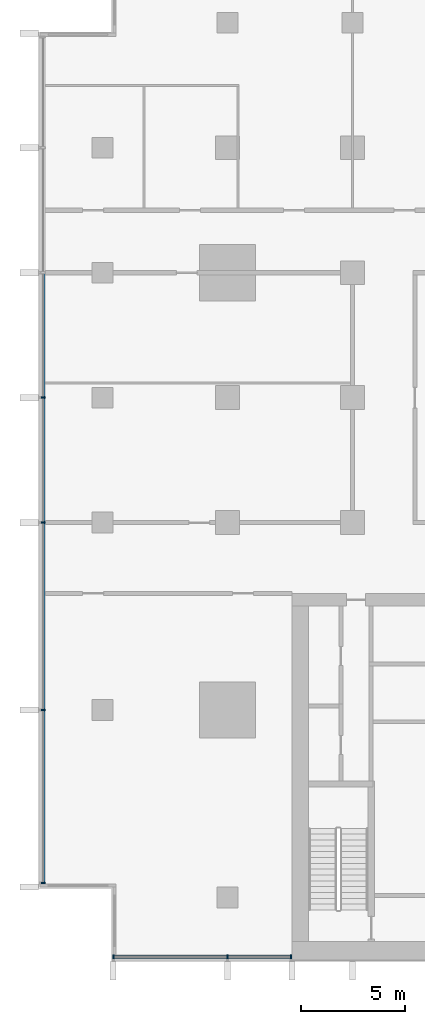
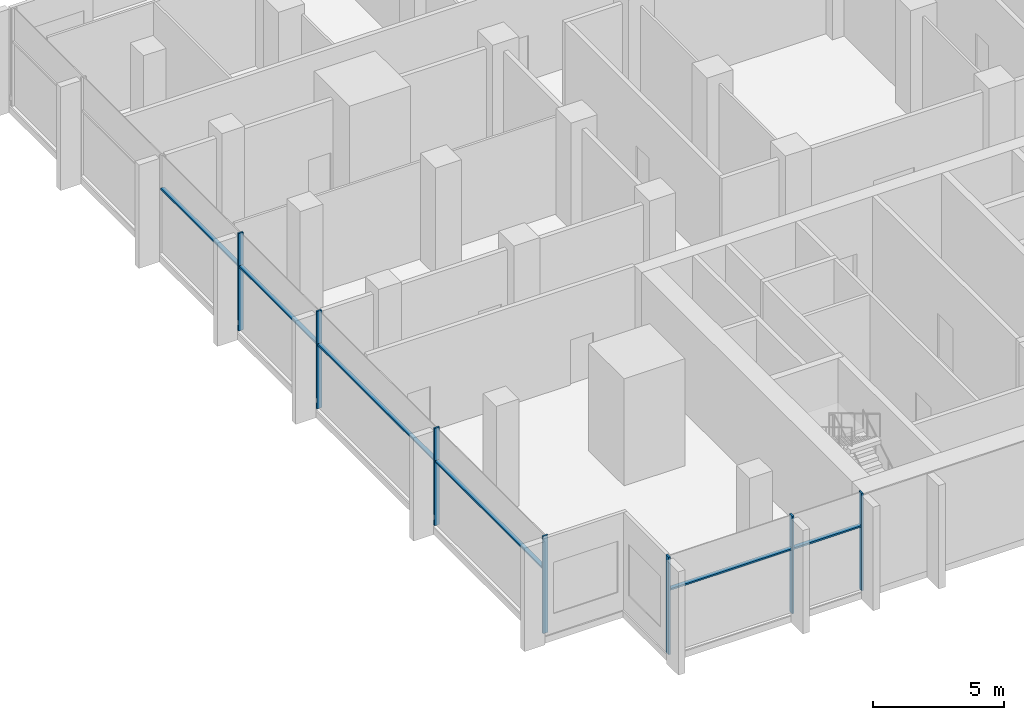
# One storey, part 2 of 15: 13 members, 2 elements without a shape of their own.
"""IFC4 building model written with IfcOpenShell, lengths in metres."""

from ifc_helpers import new_model, si_unit, direction, frame, origin, origin_2d, place, context, subcontext, project, spatial, rectangle, extrude, material, material_profile, profile_set, type_object, element, aggregate, save


model = new_model("IFC4")

# Units and contexts
model_context = context("Model", 3, precision=1e-05, world=origin(), true_north=direction((0.0, 1.0)))
body_context = subcontext(model_context, "Body", "Model", "MODEL_VIEW")
ifc_project = project(units=[si_unit("LENGTHUNIT", "METRE"), si_unit("AREAUNIT", "SQUARE_METRE"), si_unit("VOLUMEUNIT", "CUBIC_METRE"), si_unit("PLANEANGLEUNIT", "RADIAN"), si_unit("MASSUNIT", "GRAM", prefix="KILO")], contexts=[model_context])

# Site, building, storey
site_placement = place(None, origin())
site = spatial("IfcSite", under=ifc_project, at=site_placement, CompositionType="ELEMENT")
building_placement = place(site_placement, origin())
building = spatial("IfcBuilding", under=site, at=building_placement, Name="Finial Court Residences", CompositionType="ELEMENT")
storey_placement = place(building_placement, frame((0.0, 0.0, 138.89990234375)))
storey = spatial("IfcBuildingStorey", under=building, at=storey_placement, Name="L34", CompositionType="ELEMENT", Elevation=138.89990234375)

# Curtain wall, members
ifc_material = material(Name="Bronze anodised aluminium", Category="aluminium")
curtain_wall_type = type_object("IfcCurtainWallType", Name="Sky amenity glazing", PredefinedType="NOTDEFINED", material=ifc_material)
curtain_wall_1_placement = place(storey_placement, origin())
curtain_wall_1 = element("IfcCurtainWall", 1, at=curtain_wall_1_placement, inside=storey, type_object=curtain_wall_type, Name="E-L34-CW-S3", PredefinedType="NOTDEFINED")
ifc_material_profile_1 = material_profile(ifc_material, rectangle(XDim=0.22509765625, YDim=0.074951171875, at=origin_2d()), Name="CW3 mullion 75 x 225")
ifc_profile_set_1 = profile_set([ifc_material_profile_1], Name="Bronze anodised aluminium")
member_type_1 = type_object("IfcMemberType", Name="CW3 mullion 75 x 225", PredefinedType="MULLION", material=ifc_profile_set_1)
member_1_placement = place(storey_placement, frame((-21.96240234375, -25.35009765625, 0.0), z_axis=(0.0, 0.0, 1.0), x_axis=(0.0, 1.0, 0.0)))
member_1 = element("IfcMember", 2, at=member_1_placement, type_object=member_type_1, Name="CW3 mullion 1", PredefinedType="MULLION", context=body_context, shape_type="SweptSolid", body=[
    extrude(rectangle(XDim=0.22509765625, YDim=0.074951171875, at=origin_2d()), origin(), (0.0, 0.0, 1.0), 4.550048828125),
])
member_2_placement = place(storey_placement, frame((-16.5, -25.35009765625, 0.0), z_axis=(0.0, 0.0, 1.0), x_axis=(0.0, 1.0, 0.0)))
member_2 = element("IfcMember", 3, at=member_2_placement, type_object=member_type_1, Name="CW3 mullion 2", PredefinedType="MULLION", context=body_context, shape_type="SweptSolid", body=[
    extrude(rectangle(XDim=0.22509765625, YDim=0.074951171875, at=origin_2d()), origin(), (0.0, 0.0, 1.0), 4.550048828125),
])
member_3_placement = place(storey_placement, frame((-13.4375, -25.35009765625, 0.0), z_axis=(0.0, 0.0, 1.0), x_axis=(0.0, 1.0, 0.0)))
member_3 = element("IfcMember", 4, at=member_3_placement, type_object=member_type_1, Name="CW3 mullion 3", PredefinedType="MULLION", context=body_context, shape_type="SweptSolid", body=[
    extrude(rectangle(XDim=0.22509765625, YDim=0.074951171875, at=origin_2d()), origin(), (0.0, 0.0, 1.0), 4.550048828125),
])

curtain_wall_2_placement = place(storey_placement, origin())
curtain_wall_2 = element("IfcCurtainWall", 5, at=curtain_wall_2_placement, inside=storey, type_object=curtain_wall_type, Name="E-L34-CW-W5", PredefinedType="NOTDEFINED")
member_4_placement = place(storey_placement, frame((-25.35009765625, -21.8125, 0.0), z_axis=(0.0, 0.0, 1.0), x_axis=(-1.0, 0.0, 0.0)))
member_4 = element("IfcMember", 6, at=member_4_placement, type_object=member_type_1, Name="CW3 mullion 1", PredefinedType="MULLION", context=body_context, shape_type="SweptSolid", body=[
    extrude(rectangle(XDim=0.22509765625, YDim=0.074951171875, at=origin_2d()), origin(), (0.0, 0.0, 1.0), 4.550048828125),
])
member_5_placement = place(storey_placement, frame((-25.35009765625, -13.5, 0.0), z_axis=(0.0, 0.0, 1.0), x_axis=(-1.0, 0.0, 0.0)))
member_5 = element("IfcMember", 7, at=member_5_placement, type_object=member_type_1, Name="CW3 mullion 2", PredefinedType="MULLION", context=body_context, shape_type="SweptSolid", body=[
    extrude(rectangle(XDim=0.22509765625, YDim=0.074951171875, at=origin_2d()), origin(), (0.0, 0.0, 1.0), 4.550048828125),
])
member_6_placement = place(storey_placement, frame((-25.35009765625, -4.5, 0.0), z_axis=(0.0, 0.0, 1.0), x_axis=(-1.0, 0.0, 0.0)))
member_6 = element("IfcMember", 8, at=member_6_placement, type_object=member_type_1, Name="CW3 mullion 3", PredefinedType="MULLION", context=body_context, shape_type="SweptSolid", body=[
    extrude(rectangle(XDim=0.22509765625, YDim=0.074951171875, at=origin_2d()), origin(), (0.0, 0.0, 1.0), 4.550048828125),
])
member_7_placement = place(storey_placement, frame((-25.35009765625, 1.5, 0.0), z_axis=(0.0, 0.0, 1.0), x_axis=(-1.0, 0.0, 0.0)))
member_7 = element("IfcMember", 9, at=member_7_placement, type_object=member_type_1, Name="CW3 mullion 4", PredefinedType="MULLION", context=body_context, shape_type="SweptSolid", body=[
    extrude(rectangle(XDim=0.22509765625, YDim=0.074951171875, at=origin_2d()), origin(), (0.0, 0.0, 1.0), 4.550048828125),
])

# Member
ifc_material_profile_2 = material_profile(ifc_material, rectangle(XDim=0.175048828125, YDim=0.074951171875, at=origin_2d()), Name="CW3 transom 75 x 175")
ifc_profile_set_2 = profile_set([ifc_material_profile_2], Name="Bronze anodised aluminium")
member_type_2 = type_object("IfcMemberType", Name="CW3 transom 75 x 175", PredefinedType="USERDEFINED", material=ifc_profile_set_2)
member_8_placement = place(storey_placement, frame((-21.925048828125, -25.35009765625, 3.0), z_axis=(1.0, 0.0, 0.0), x_axis=(0.0, 1.0, 0.0)))
member_8 = element("IfcMember", 10, at=member_8_placement, type_object=member_type_2, Name="CW3 transom 1.1", ObjectType="TRANSOM", PredefinedType="USERDEFINED", context=body_context, shape_type="SweptSolid", body=[
    extrude(rectangle(XDim=0.175048828125, YDim=0.074951171875, at=origin_2d()), origin(), (0.0, 0.0, 1.0), 5.387451171875),
])

member_9_placement = place(storey_placement, frame((-16.46240234375, -25.35009765625, 3.0), z_axis=(1.0, 0.0, 0.0), x_axis=(0.0, 1.0, 0.0)))
member_9 = element("IfcMember", 11, at=member_9_placement, type_object=member_type_2, Name="CW3 transom 2.1", ObjectType="TRANSOM", PredefinedType="USERDEFINED", context=body_context, shape_type="SweptSolid", body=[
    extrude(rectangle(XDim=0.175048828125, YDim=0.074951171875, at=origin_2d()), origin(), (0.0, 0.0, 1.0), 2.9873046875),
])

aggregate(curtain_wall_1, [member_1, member_2, member_3, member_8, member_9])

member_10_placement = place(storey_placement, frame((-25.35009765625, -21.77490234375, 3.0), z_axis=(0.0, 1.0, 0.0), x_axis=(-1.0, 0.0, 0.0)))
member_10 = element("IfcMember", 12, at=member_10_placement, type_object=member_type_2, Name="CW3 transom 1.1", ObjectType="TRANSOM", PredefinedType="USERDEFINED", context=body_context, shape_type="SweptSolid", body=[
    extrude(rectangle(XDim=0.175048828125, YDim=0.074951171875, at=origin_2d()), origin(), (0.0, 0.0, 1.0), 8.2373046875),
])

member_11_placement = place(storey_placement, frame((-25.35009765625, -13.46240234375, 3.0), z_axis=(0.0, 1.0, 0.0), x_axis=(-1.0, 0.0, 0.0)))
member_11 = element("IfcMember", 13, at=member_11_placement, type_object=member_type_2, Name="CW3 transom 2.1", ObjectType="TRANSOM", PredefinedType="USERDEFINED", context=body_context, shape_type="SweptSolid", body=[
    extrude(rectangle(XDim=0.175048828125, YDim=0.074951171875, at=origin_2d()), origin(), (0.0, 0.0, 1.0), 8.9248046875),
])

member_12_placement = place(storey_placement, frame((-25.35009765625, -4.46240234375, 3.0), z_axis=(0.0, 1.0, 0.0), x_axis=(-1.0, 0.0, 0.0)))
member_12 = element("IfcMember", 14, at=member_12_placement, type_object=member_type_2, Name="CW3 transom 3.1", ObjectType="TRANSOM", PredefinedType="USERDEFINED", context=body_context, shape_type="SweptSolid", body=[
    extrude(rectangle(XDim=0.175048828125, YDim=0.074951171875, at=origin_2d()), origin(), (0.0, 0.0, 1.0), 5.9248046875),
])

member_13_placement = place(storey_placement, frame((-25.35009765625, 1.53759765625, 3.0), z_axis=(0.0, 1.0, 0.0), x_axis=(-1.0, 0.0, 0.0)))
member_13 = element("IfcMember", 15, at=member_13_placement, type_object=member_type_2, Name="CW3 transom 4.1", ObjectType="TRANSOM", PredefinedType="USERDEFINED", context=body_context, shape_type="SweptSolid", body=[
    extrude(rectangle(XDim=0.175048828125, YDim=0.074951171875, at=origin_2d()), origin(), (0.0, 0.0, 1.0), 5.9248046875),
])

aggregate(curtain_wall_2, [member_4, member_5, member_6, member_7, member_10, member_11, member_12, member_13])

save(model, "model.ifc")
